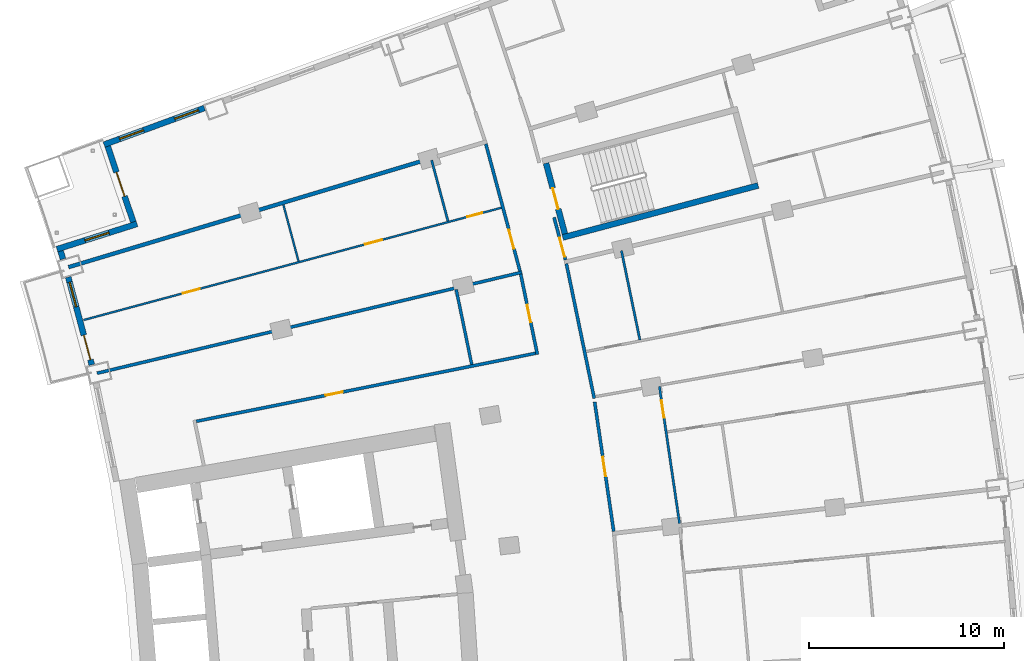
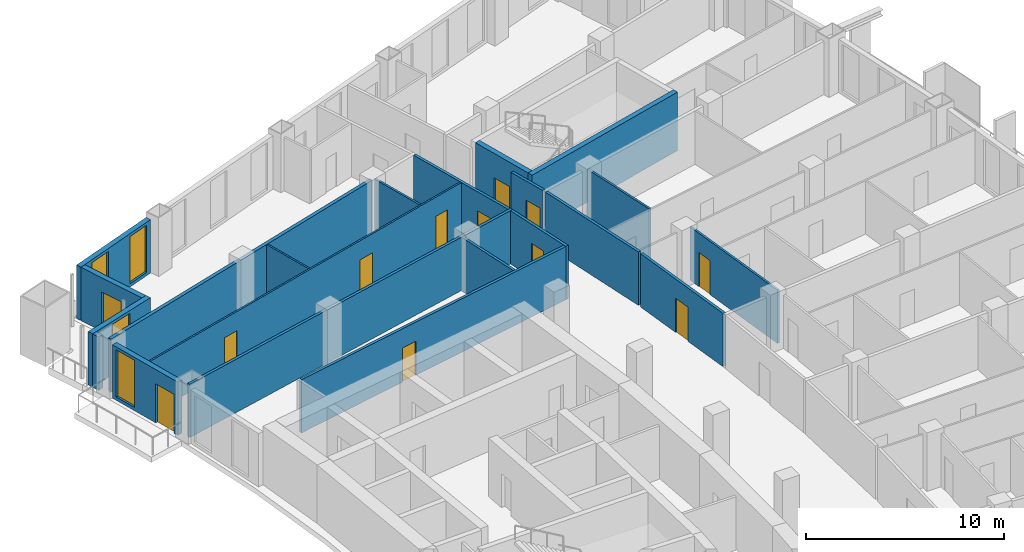
# One storey, part 19 of 25: 21 walls, 12 doors, 4 windows, 16 openings.
"""IFC4 building model written with IfcOpenShell, lengths in metres."""

from ifc_helpers import new_model, si_unit, direction, frame, frame_2d, origin, place, context, subcontext, project, spatial, rectangle, extrude, material, layer, layer_set, type_object, element, fill, save


model = new_model("IFC4")

# Units and contexts
model_context = context("Model", 3, precision=1e-05, world=origin(), true_north=direction((0.0, 1.0)))
body_context = subcontext(model_context, "Body", "Model", "MODEL_VIEW")
ifc_project = project(units=[si_unit("LENGTHUNIT", "METRE"), si_unit("AREAUNIT", "SQUARE_METRE"), si_unit("VOLUMEUNIT", "CUBIC_METRE"), si_unit("PLANEANGLEUNIT", "RADIAN"), si_unit("MASSUNIT", "GRAM", prefix="KILO")], contexts=[model_context])

# Site, building, storey
site_placement = place(None, origin())
site = spatial("IfcSite", under=ifc_project, at=site_placement, CompositionType="ELEMENT")
building_placement = place(site_placement, origin())
building = spatial("IfcBuilding", under=site, at=building_placement, Name="Alderwake Tower", CompositionType="ELEMENT")
storey_placement = place(building_placement, frame((0.0, 0.0, 107.60009765625)))
storey = spatial("IfcBuildingStorey", under=building, at=storey_placement, Name="L26", CompositionType="ELEMENT", Elevation=107.60009765625)

# Wall
ifc_material_1 = material(Name="Concrete C70/85", Category="concrete")
ifc_layer_1 = layer(ifc_material_1, 0.300048828125)
ifc_layer_set_1 = layer_set([ifc_layer_1], Name="Core wall stair enclosure 300 C70-85")
wall_type_1 = type_object("IfcWallType", Name="Core wall stair enclosure 300 C70-85", PredefinedType="SHEAR", material=ifc_layer_set_1)
wall_1_placement = place(storey_placement, frame((37.75390625, 90.268798828125, 0.0), z_axis=(0.0, 0.0, 1.0), x_axis=(0.966309214305, 0.257383958996, 0.0)))
element("IfcWall", 1, at=wall_1_placement, inside=storey, type_object=wall_type_1, Name="Core wall CW.084", PredefinedType="SHEAR", context=body_context, shape_type="SweptSolid", body=[
    extrude(rectangle(XDim=10.360107421875, YDim=0.300048828125, at=frame_2d((5.18017578125, 0.0))), origin(), (0.0, 0.0, 1.0), 3.599853515625),
])

# Wall, opening, door
wall_2_placement = place(storey_placement, frame((37.8603515625, 90.452392578125, 0.0), z_axis=(0.0, 0.0, 1.0), x_axis=(-0.257411420208, 0.966301899381, 0.0)))
wall_2 = element("IfcWall", 2, at=wall_2_placement, inside=storey, type_object=wall_type_1, Name="Core wall CW.083", PredefinedType="SHEAR", context=body_context, shape_type="SweptSolid", body=[
    extrude(rectangle(XDim=3.750244140625, YDim=0.300048828125, at=frame_2d((1.875, 0.0))), origin(), (0.0, 0.0, 1.0), 3.599853515625),
])
opening_1_placement = place(wall_2_placement, frame((1.324951171875, 0.0, 0.0)))
opening_1 = element("IfcOpeningElement", 3, at=opening_1_placement, cuts=wall_2, Name="Opening C062", PredefinedType="OPENING", context=body_context, shape_type="SweptSolid", body=[
    extrude(rectangle(XDim=1.10009765625, YDim=2.10009765625, at=frame_2d((0.550048828125, 1.050048828125))), frame((0.0, 0.159912109375, 0.0), z_axis=(0.0, -1.0, 0.0), x_axis=(1.0, 0.0, 0.0)), (0.0, 0.0, 1.0), 0.320068359375),
])
ifc_material_2 = material(Name="Steel-framed fire door leaf", Category="steel")
door_type_1 = type_object("IfcDoorType", Name="Core stair door 1100 fire-rated", OperationType="SINGLE_SWING_LEFT", PredefinedType="DOOR", material=ifc_material_2)
door_1_placement = place(opening_1_placement, origin())
door_1 = element("IfcDoor", 4, at=door_1_placement, inside=storey, type_object=door_type_1, Name="Stair door", OperationType="SINGLE_SWING_RIGHT", OverallHeight=2.10009765625, OverallWidth=1.10009765625, PredefinedType="DOOR", context=body_context, shape_type="SweptSolid", body=[
    extrude(rectangle(XDim=1.10009765625, YDim=2.10009765625, at=frame_2d((0.550048828125, 1.050048828125))), frame((0.0, 0.02490234375, 0.0), z_axis=(0.0, -1.0, 0.0), x_axis=(1.0, 0.0, 0.0)), (0.0, 0.0, 1.0), 0.050048828125),
])
fill(opening_1, door_1)

# Wall
ifc_material_3 = material(Name="Gypsum board on metal studs, rated")
ifc_layer_2 = layer(ifc_material_3, 0.159912109375)
ifc_layer_set_2 = layer_set([ifc_layer_2], Name="Corridor wall 160")
wall_type_2 = type_object("IfcWallType", Name="Corridor wall 160", PredefinedType="PARTITIONING", material=ifc_layer_set_2)
wall_3_placement = place(storey_placement, frame((13.884033203125, 83.31298828125, 0.0), z_axis=(0.0, 0.0, 1.0), x_axis=(0.972893462073, 0.231253781493, 0.0)))
element("IfcWall", 5, at=wall_3_placement, inside=storey, type_object=wall_type_2, Name="WL/L26/W17", PredefinedType="PARTITIONING", context=body_context, shape_type="SweptSolid", body=[
    extrude(rectangle(XDim=22.38037109375, YDim=0.159912109375, at=frame_2d((11.190185546875, 0.0))), origin(), (0.0, 0.0, 1.0), 3.27978515625),
])

# Wall, opening, door
wall_4_placement = place(storey_placement, frame((35.55908203125, 88.54736328125, 0.0), z_axis=(0.0, 0.0, 1.0), x_axis=(-0.259373900693, 0.965776982351, 0.0)))
wall_4 = element("IfcWall", 6, at=wall_4_placement, inside=storey, type_object=wall_type_2, Name="WL/L26/W24", PredefinedType="PARTITIONING", context=body_context, shape_type="SweptSolid", body=[
    extrude(rectangle(XDim=6.7470703125, YDim=0.159912109375, at=frame_2d((3.37353515625, 0.0))), origin(), (0.0, 0.0, 1.0), 3.27978515625),
])
opening_2_placement = place(wall_4_placement, frame((1.191650390625, 0.0, 0.0)))
opening_2 = element("IfcOpeningElement", 7, at=opening_2_placement, cuts=wall_4, Name="Opening R07-U12.2", PredefinedType="OPENING", context=body_context, shape_type="SweptSolid", body=[
    extrude(rectangle(XDim=1.0, YDim=2.10009765625, at=frame_2d((0.5, 1.050048828125))), frame((0.0, 0.08984375, 0.0), z_axis=(0.0, -1.0, 0.0), x_axis=(1.0, 0.0, 0.0)), (0.0, 0.0, 1.0), 0.179931640625),
])
ifc_material_4 = material(Name="Solid timber leaf in steel frame", Category="steel")
door_type_2 = type_object("IfcDoorType", Name="Flat entrance door 1000 fire-rated", OperationType="SINGLE_SWING_LEFT", PredefinedType="DOOR", material=ifc_material_4)
door_2_placement = place(opening_2_placement, origin())
door_2 = element("IfcDoor", 8, at=door_2_placement, inside=storey, type_object=door_type_2, Name="DR/L26/U12.2", OperationType="SINGLE_SWING_LEFT", OverallHeight=2.10009765625, OverallWidth=1.0, PredefinedType="DOOR", context=body_context, shape_type="SweptSolid", body=[
    extrude(rectangle(XDim=1.0, YDim=2.10009765625, at=frame_2d((0.5, 1.050048828125))), frame((0.0, 0.02490234375, 0.0), z_axis=(0.0, -1.0, 0.0), x_axis=(1.0, 0.0, 0.0)), (0.0, 0.0, 1.0), 0.050048828125),
])
fill(opening_2, door_2)

wall_5_placement = place(storey_placement, frame((36.451416015625, 84.272705078125, 0.0), z_axis=(0.0, 0.0, 1.0), x_axis=(-0.20329833965, 0.979116839348, 0.0)))
wall_5 = element("IfcWall", 9, at=wall_5_placement, inside=storey, type_object=wall_type_2, Name="WL/L26/W26", PredefinedType="PARTITIONING", context=body_context, shape_type="SweptSolid", body=[
    extrude(rectangle(XDim=4.206787109375, YDim=0.159912109375, at=frame_2d((2.103515625, 0.0))), origin(), (0.0, 0.0, 1.0), 3.27978515625),
])
opening_3_placement = place(wall_5_placement, frame((1.69287109375, 0.0, 0.0)))
opening_3 = element("IfcOpeningElement", 10, at=opening_3_placement, cuts=wall_5, Name="Opening R07-SBN2", PredefinedType="OPENING", context=body_context, shape_type="SweptSolid", body=[
    extrude(rectangle(XDim=0.89990234375, YDim=2.10009765625, at=frame_2d((0.449951171875, 1.050048828125))), frame((0.0, 0.08984375, 0.0), z_axis=(0.0, -1.0, 0.0), x_axis=(1.0, 0.0, 0.0)), (0.0, 0.0, 1.0), 0.179931640625),
])
ifc_material_5 = material(Name="Painted timber leaf", Category="wood")
door_type_3 = type_object("IfcDoorType", Name="Room door 900", OperationType="SINGLE_SWING_LEFT", PredefinedType="DOOR", material=ifc_material_5)
door_3_placement = place(opening_3_placement, origin())
door_3 = element("IfcDoor", 11, at=door_3_placement, inside=storey, type_object=door_type_3, Name="DR/L26/SBN2", OperationType="SINGLE_SWING_LEFT", OverallHeight=2.10009765625, OverallWidth=0.89990234375, PredefinedType="DOOR", context=body_context, shape_type="SweptSolid", body=[
    extrude(rectangle(XDim=0.89990234375, YDim=2.10009765625, at=frame_2d((0.449951171875, 1.050048828125))), frame((0.0, 0.02490234375, 0.0), z_axis=(0.0, -1.0, 0.0), x_axis=(1.0, 0.0, 0.0)), (0.0, 0.0, 1.0), 0.050048828125),
])
fill(opening_3, door_3)

wall_6_placement = place(storey_placement, frame((18.969482421875, 80.84765625, 0.0), z_axis=(0.0, 0.0, 1.0), x_axis=(0.980470914622, 0.196664144112, 0.0)))
wall_6 = element("IfcWall", 12, at=wall_6_placement, inside=storey, type_object=wall_type_2, Name="WL/L26/W30", PredefinedType="PARTITIONING", context=body_context, shape_type="SweptSolid", body=[
    extrude(rectangle(XDim=17.733642578125, YDim=0.159912109375, at=frame_2d((8.86669921875, 0.0))), origin(), (0.0, 0.0, 1.0), 3.27978515625),
])
opening_4_placement = place(wall_6_placement, frame((6.756591796875, 0.0, 0.0)))
opening_4 = element("IfcOpeningElement", 13, at=opening_4_placement, cuts=wall_6, Name="Opening R07-SBN1", PredefinedType="OPENING", context=body_context, shape_type="SweptSolid", body=[
    extrude(rectangle(XDim=0.89990234375, YDim=2.10009765625, at=frame_2d((0.449951171875, 1.050048828125))), frame((0.0, 0.08984375, 0.0), z_axis=(0.0, -1.0, 0.0), x_axis=(1.0, 0.0, 0.0)), (0.0, 0.0, 1.0), 0.179931640625),
])
door_4_placement = place(opening_4_placement, origin())
door_4 = element("IfcDoor", 14, at=door_4_placement, inside=storey, type_object=door_type_3, Name="DR/L26/SBN1", OperationType="SINGLE_SWING_LEFT", OverallHeight=2.10009765625, OverallWidth=0.89990234375, PredefinedType="DOOR", context=body_context, shape_type="SweptSolid", body=[
    extrude(rectangle(XDim=0.89990234375, YDim=2.10009765625, at=frame_2d((0.449951171875, 1.050048828125))), frame((0.0, 0.02490234375, 0.0), z_axis=(0.0, -1.0, 0.0), x_axis=(1.0, 0.0, 0.0)), (0.0, 0.0, 1.0), 0.050048828125),
])
fill(opening_4, door_4)

wall_7_placement = place(storey_placement, frame((37.304931640625, 91.299072265625, 0.0), z_axis=(0.0, 0.0, 1.0), x_axis=(0.259946294884, -0.965623075416, 0.0)))
wall_7 = element("IfcWall", 15, at=wall_7_placement, inside=storey, type_object=wall_type_2, Name="WL/L26/W34", PredefinedType="PARTITIONING", context=body_context, shape_type="SweptSolid", body=[
    extrude(rectangle(XDim=2.255126953125, YDim=0.159912109375, at=frame_2d((1.12744140625, 0.0))), origin(), (0.0, 0.0, 1.0), 3.27978515625),
])
opening_5_placement = place(wall_7_placement, frame((1.083984375, 0.0, 0.0)))
opening_5 = element("IfcOpeningElement", 16, at=opening_5_placement, cuts=wall_7, Name="Opening R07-U02.1", PredefinedType="OPENING", context=body_context, shape_type="SweptSolid", body=[
    extrude(rectangle(XDim=1.0, YDim=2.10009765625, at=frame_2d((0.5, 1.050048828125))), frame((0.0, 0.08984375, 0.0), z_axis=(0.0, -1.0, 0.0), x_axis=(1.0, 0.0, 0.0)), (0.0, 0.0, 1.0), 0.179931640625),
])
door_5_placement = place(opening_5_placement, origin())
door_5 = element("IfcDoor", 17, at=door_5_placement, inside=storey, type_object=door_type_2, Name="DR/L26/U02.1", OperationType="SINGLE_SWING_LEFT", OverallHeight=2.10009765625, OverallWidth=1.0, PredefinedType="DOOR", context=body_context, shape_type="SweptSolid", body=[
    extrude(rectangle(XDim=1.0, YDim=2.10009765625, at=frame_2d((0.5, 1.050048828125))), frame((0.0, 0.02490234375, 0.0), z_axis=(0.0, -1.0, 0.0), x_axis=(1.0, 0.0, 0.0)), (0.0, 0.0, 1.0), 0.050048828125),
])
fill(opening_5, door_5)

# Wall
wall_8_placement = place(storey_placement, frame((39.3642578125, 82.022705078125, 0.0), z_axis=(0.0, 0.0, 1.0), x_axis=(-0.20240521091, 0.979301858773, 0.0)))
element("IfcWall", 18, at=wall_8_placement, inside=storey, type_object=wall_type_2, Name="WL/L26/W36", PredefinedType="PARTITIONING", context=body_context, shape_type="SweptSolid", body=[
    extrude(rectangle(XDim=7.05029296875, YDim=0.159912109375, at=frame_2d((3.525146484375, 0.0))), origin(), (0.0, 0.0, 1.0), 3.27978515625),
])

# Wall, opening, door
wall_9_placement = place(storey_placement, frame((39.38671875, 81.837158203125, 0.0), z_axis=(0.0, 0.0, 1.0), x_axis=(0.145576845789, -0.989346947218, 0.0)))
wall_9 = element("IfcWall", 19, at=wall_9_placement, inside=storey, type_object=wall_type_2, Name="WL/L26/W39", PredefinedType="PARTITIONING", context=body_context, shape_type="SweptSolid", body=[
    extrude(rectangle(XDim=6.701416015625, YDim=0.159912109375, at=frame_2d((3.3505859375, 0.0))), origin(), (0.0, 0.0, 1.0), 3.27978515625),
])
opening_6_placement = place(wall_9_placement, frame((2.850830078125, 0.0, 0.0)))
opening_6 = element("IfcOpeningElement", 20, at=opening_6_placement, cuts=wall_9, Name="Opening R07-U09.2", PredefinedType="OPENING", context=body_context, shape_type="SweptSolid", body=[
    extrude(rectangle(XDim=1.0, YDim=2.10009765625, at=frame_2d((0.5, 1.050048828125))), frame((0.0, 0.08984375, 0.0), z_axis=(0.0, -1.0, 0.0), x_axis=(1.0, 0.0, 0.0)), (0.0, 0.0, 1.0), 0.179931640625),
])
door_6_placement = place(opening_6_placement, origin())
door_6 = element("IfcDoor", 21, at=door_6_placement, inside=storey, type_object=door_type_2, Name="DR/L26/U09.2", OperationType="SINGLE_SWING_LEFT", OverallHeight=2.10009765625, OverallWidth=1.0, PredefinedType="DOOR", context=body_context, shape_type="SweptSolid", body=[
    extrude(rectangle(XDim=1.0, YDim=2.10009765625, at=frame_2d((0.5, 1.050048828125))), frame((0.0, 0.02490234375, 0.0), z_axis=(0.0, -1.0, 0.0), x_axis=(1.0, 0.0, 0.0)), (0.0, 0.0, 1.0), 0.050048828125),
])
fill(opening_6, door_6)

# Wall
ifc_material_6 = material(Name="Precast concrete C50/60 spandrel panel", Category="concrete")
ifc_layer_3 = layer(ifc_material_6, 0.300048828125)
ifc_layer_set_3 = layer_set([ifc_layer_3], Name="External wall EW1 Precast concrete C50/60 spandrel")
wall_type_3 = type_object("IfcWallType", Name="External wall EW1 Precast concrete C50/60 spandrel", PredefinedType="SOLIDWALL", material=ifc_layer_set_3)
wall_10_placement = place(storey_placement, frame((12.01416015625, 89.5703125, 0.0), z_axis=(0.0, 0.0, 1.0), x_axis=(0.294567190983, -0.955630770746, 0.0)))
element("IfcWall", 22, at=wall_10_placement, inside=storey, type_object=wall_type_3, Name="External wall 32", PredefinedType="SOLIDWALL", context=body_context, shape_type="SweptSolid", body=[
    extrude(rectangle(XDim=0.427734375, YDim=0.300048828125, at=frame_2d((0.2138671875, 0.0))), origin(), (0.0, 0.0, 1.0), 3.27978515625),
])

# Wall, openings, door, window
wall_11_placement = place(storey_placement, frame((12.406494140625, 88.237548828125, 0.0), z_axis=(0.0, 0.0, 1.0), x_axis=(0.259468933642, -0.965751454814, 0.0)))
wall_11 = element("IfcWall", 23, at=wall_11_placement, inside=storey, type_object=wall_type_3, Name="External wall 33", PredefinedType="SOLIDWALL", context=body_context, shape_type="SweptSolid", body=[
    extrude(rectangle(XDim=4.65087890625, YDim=0.300048828125, at=frame_2d((2.325439453125, 0.0))), origin(), (0.0, 0.0, 1.0), 3.27978515625),
])
opening_7_placement = place(wall_11_placement, frame((0.26708984375, 0.0, 0.199951171875)))
opening_7 = element("IfcOpeningElement", 24, at=opening_7_placement, cuts=wall_11, Name="Opening W1", PredefinedType="OPENING", context=body_context, shape_type="SweptSolid", body=[
    extrude(rectangle(XDim=1.300048828125, YDim=2.89990234375, at=frame_2d((0.64990234375, 1.449951171875))), frame((0.0, 0.159912109375, 0.0), z_axis=(0.0, -1.0, 0.0), x_axis=(1.0, 0.0, 0.0)), (0.0, 0.0, 1.0), 0.320068359375),
])
opening_8_placement = place(wall_11_placement, frame((3.083984375, 0.0, 0.0)))
opening_8 = element("IfcOpeningElement", 25, at=opening_8_placement, cuts=wall_11, Name="Opening D14", PredefinedType="OPENING", context=body_context, shape_type="SweptSolid", body=[
    extrude(rectangle(XDim=1.300048828125, YDim=2.39990234375, at=frame_2d((0.64990234375, 1.199951171875))), frame((0.0, 0.159912109375, 0.0), z_axis=(0.0, -1.0, 0.0), x_axis=(1.0, 0.0, 0.0)), (0.0, 0.0, 1.0), 0.320068359375),
])
ifc_material_7 = material(Name="Bronze tinted glass in aluminium frame", Category="aluminium")
door_type_4 = type_object("IfcDoorType", Name="Balcony door BD sliding", OperationType="SLIDING_TO_LEFT", PredefinedType="DOOR", material=ifc_material_7)
door_7_placement = place(opening_8_placement, origin())
door_7 = element("IfcDoor", 26, at=door_7_placement, inside=storey, type_object=door_type_4, Name="Door D14", OperationType="SLIDING_TO_LEFT", OverallHeight=2.39990234375, OverallWidth=1.300048828125, PredefinedType="DOOR", context=body_context, shape_type="SweptSolid", body=[
    extrude(rectangle(XDim=1.300048828125, YDim=2.39990234375, at=frame_2d((0.64990234375, 1.199951171875))), frame((0.0, 0.02490234375, 0.0), z_axis=(0.0, -1.0, 0.0), x_axis=(1.0, 0.0, 0.0)), (0.0, 0.0, 1.0), 0.050048828125),
])
fill(opening_8, door_7)
ifc_material_8 = material(Name="Bronze tinted glass in aluminium frame", Category="aluminium")
window_type = type_object("IfcWindowType", Name="Window W1 tall fixed and vent", PartitioningType="DOUBLE_PANEL_VERTICAL", PredefinedType="WINDOW", material=ifc_material_8)
window_1_placement = place(opening_7_placement, origin())
window_1 = element("IfcWindow", 27, at=window_1_placement, inside=storey, type_object=window_type, Name="Window W1 tall fixed and vent", OverallHeight=2.89990234375, OverallWidth=1.300048828125, PartitioningType="DOUBLE_PANEL_VERTICAL", PredefinedType="WINDOW", context=body_context, shape_type="SweptSolid", body=[
    extrude(rectangle(XDim=1.300048828125, YDim=2.89990234375, at=frame_2d((0.64990234375, 1.449951171875))), frame((0.0, 0.030029296875, 0.0), z_axis=(0.0, -1.0, 0.0), x_axis=(1.0, 0.0, 0.0)), (0.0, 0.0, 1.0), 0.06005859375),
])
fill(opening_7, window_1)

# Wall, openings, windows
ifc_material_9 = material(Name="Bronze metal cladding on lightweight framing")
ifc_layer_4 = layer(ifc_material_9, 0.300048828125)
ifc_layer_set_4 = layer_set([ifc_layer_4], Name="External wall EW2 bronze metal cladding")
wall_type_4 = type_object("IfcWallType", Name="External wall EW2 bronze metal cladding", PredefinedType="SOLIDWALL", material=ifc_layer_set_4)
wall_12_placement = place(storey_placement, frame((19.38427734375, 96.905517578125, 0.0), z_axis=(0.0, 0.0, 1.0), x_axis=(-0.939366897407, -0.342913738506, 0.0)))
wall_12 = element("IfcWall", 28, at=wall_12_placement, inside=storey, type_object=wall_type_4, Name="External wall 29", PredefinedType="SOLIDWALL", context=body_context, shape_type="SweptSolid", body=[
    extrude(rectangle(XDim=5.474365234375, YDim=0.300048828125, at=frame_2d((2.7373046875, 0.0))), origin(), (0.0, 0.0, 1.0), 3.27978515625),
])
opening_9_placement = place(wall_12_placement, frame((0.322998046875, 0.0, 0.199951171875)))
opening_9 = element("IfcOpeningElement", 29, at=opening_9_placement, cuts=wall_12, Name="Opening W1", PredefinedType="OPENING", context=body_context, shape_type="SweptSolid", body=[
    extrude(rectangle(XDim=1.300048828125, YDim=2.89990234375, at=frame_2d((0.64990234375, 1.449951171875))), frame((0.0, 0.159912109375, 0.0), z_axis=(0.0, -1.0, 0.0), x_axis=(1.0, 0.0, 0.0)), (0.0, 0.0, 1.0), 0.320068359375),
])
opening_10_placement = place(wall_12_placement, frame((3.32373046875, 0.0, 0.199951171875)))
opening_10 = element("IfcOpeningElement", 30, at=opening_10_placement, cuts=wall_12, Name="Opening W1", PredefinedType="OPENING", context=body_context, shape_type="SweptSolid", body=[
    extrude(rectangle(XDim=1.300048828125, YDim=2.89990234375, at=frame_2d((0.64990234375, 1.449951171875))), frame((0.0, 0.159912109375, 0.0), z_axis=(0.0, -1.0, 0.0), x_axis=(1.0, 0.0, 0.0)), (0.0, 0.0, 1.0), 0.320068359375),
])
window_2_placement = place(opening_9_placement, origin())
window_2 = element("IfcWindow", 31, at=window_2_placement, inside=storey, type_object=window_type, Name="Window W1 tall fixed and vent", OverallHeight=2.89990234375, OverallWidth=1.300048828125, PartitioningType="DOUBLE_PANEL_VERTICAL", PredefinedType="WINDOW", context=body_context, shape_type="SweptSolid", body=[
    extrude(rectangle(XDim=1.300048828125, YDim=2.89990234375, at=frame_2d((0.64990234375, 1.449951171875))), frame((0.0, 0.030029296875, 0.0), z_axis=(0.0, -1.0, 0.0), x_axis=(1.0, 0.0, 0.0)), (0.0, 0.0, 1.0), 0.06005859375),
])
fill(opening_9, window_2)
window_3_placement = place(opening_10_placement, origin())
window_3 = element("IfcWindow", 32, at=window_3_placement, inside=storey, type_object=window_type, Name="Window W1 tall fixed and vent", OverallHeight=2.89990234375, OverallWidth=1.300048828125, PartitioningType="DOUBLE_PANEL_VERTICAL", PredefinedType="WINDOW", context=body_context, shape_type="SweptSolid", body=[
    extrude(rectangle(XDim=1.300048828125, YDim=2.89990234375, at=frame_2d((0.64990234375, 1.449951171875))), frame((0.0, 0.030029296875, 0.0), z_axis=(0.0, -1.0, 0.0), x_axis=(1.0, 0.0, 0.0)), (0.0, 0.0, 1.0), 0.06005859375),
])
fill(opening_10, window_3)

# Wall, opening, door
wall_13_placement = place(storey_placement, frame((14.430908203125, 94.937744140625, 0.0), z_axis=(0.0, 0.0, 1.0), x_axis=(0.320379458656, -0.947289291859, 0.0)))
wall_13 = element("IfcWall", 33, at=wall_13_placement, inside=storey, type_object=wall_type_4, Name="External wall 30", PredefinedType="SOLIDWALL", context=body_context, shape_type="SweptSolid", body=[
    extrude(rectangle(XDim=4.08984375, YDim=0.300048828125, at=frame_2d((2.044921875, 0.0))), origin(), (0.0, 0.0, 1.0), 3.27978515625),
])
opening_11_placement = place(wall_13_placement, frame((1.39501953125, 0.0, 0.0)))
opening_11 = element("IfcOpeningElement", 34, at=opening_11_placement, cuts=wall_13, Name="Opening D13", PredefinedType="OPENING", context=body_context, shape_type="SweptSolid", body=[
    extrude(rectangle(XDim=1.300048828125, YDim=2.39990234375, at=frame_2d((0.64990234375, 1.199951171875))), frame((0.0, 0.159912109375, 0.0), z_axis=(0.0, -1.0, 0.0), x_axis=(1.0, 0.0, 0.0)), (0.0, 0.0, 1.0), 0.320068359375),
])
door_8_placement = place(opening_11_placement, origin())
door_8 = element("IfcDoor", 35, at=door_8_placement, inside=storey, type_object=door_type_4, Name="Door D13", OperationType="SLIDING_TO_LEFT", OverallHeight=2.39990234375, OverallWidth=1.300048828125, PredefinedType="DOOR", context=body_context, shape_type="SweptSolid", body=[
    extrude(rectangle(XDim=1.300048828125, YDim=2.39990234375, at=frame_2d((0.64990234375, 1.199951171875))), frame((0.0, 0.02490234375, 0.0), z_axis=(0.0, -1.0, 0.0), x_axis=(1.0, 0.0, 0.0)), (0.0, 0.0, 1.0), 0.050048828125),
])
fill(opening_11, door_8)

# Wall, opening, window
wall_14_placement = place(storey_placement, frame((15.932373046875, 90.966552734375, 0.0), z_axis=(0.0, 0.0, 1.0), x_axis=(-0.953473772386, -0.301475978103, 0.0)))
wall_14 = element("IfcWall", 36, at=wall_14_placement, inside=storey, type_object=wall_type_4, Name="External wall 31", PredefinedType="SOLIDWALL", context=body_context, shape_type="SweptSolid", body=[
    extrude(rectangle(XDim=4.305908203125, YDim=0.300048828125, at=frame_2d((2.15283203125, 0.0))), origin(), (0.0, 0.0, 1.0), 3.27978515625),
])
opening_12_placement = place(wall_14_placement, frame((1.5029296875, 0.0, 0.199951171875)))
opening_12 = element("IfcOpeningElement", 37, at=opening_12_placement, cuts=wall_14, Name="Opening W1", PredefinedType="OPENING", context=body_context, shape_type="SweptSolid", body=[
    extrude(rectangle(XDim=1.300048828125, YDim=2.89990234375, at=frame_2d((0.64990234375, 1.449951171875))), frame((0.0, 0.159912109375, 0.0), z_axis=(0.0, -1.0, 0.0), x_axis=(1.0, 0.0, 0.0)), (0.0, 0.0, 1.0), 0.320068359375),
])
window_4_placement = place(opening_12_placement, origin())
window_4 = element("IfcWindow", 38, at=window_4_placement, inside=storey, type_object=window_type, Name="Window W1 tall fixed and vent", OverallHeight=2.89990234375, OverallWidth=1.300048828125, PartitioningType="DOUBLE_PANEL_VERTICAL", PredefinedType="WINDOW", context=body_context, shape_type="SweptSolid", body=[
    extrude(rectangle(XDim=1.300048828125, YDim=2.89990234375, at=frame_2d((0.64990234375, 1.449951171875))), frame((0.0, 0.030029296875, 0.0), z_axis=(0.0, -1.0, 0.0), x_axis=(1.0, 0.0, 0.0)), (0.0, 0.0, 1.0), 0.06005859375),
])
fill(opening_12, window_4)

# Walls
ifc_material_10 = material(Name="Dense block masonry wall", Category="masonry")
ifc_layer_5 = layer(ifc_material_10, 0.199951171875)
ifc_layer_set_5 = layer_set([ifc_layer_5], Name="Party wall 200")
wall_type_5 = type_object("IfcWallType", Name="Party wall 200", PredefinedType="SOLIDWALL", material=ifc_layer_set_5)
wall_15_placement = place(storey_placement, frame((30.812744140625, 94.270751953125, 0.0), z_axis=(0.0, 0.0, 1.0), x_axis=(-0.957756965565, -0.287578849904, 0.0)))
element("IfcWall", 39, at=wall_15_placement, inside=storey, type_object=wall_type_5, Name="WL/L26/W01", PredefinedType="SOLIDWALL", context=body_context, shape_type="SweptSolid", body=[
    extrude(rectangle(XDim=19.20068359375, YDim=0.199951171875, at=frame_2d((9.600341796875, 0.0))), origin(), (0.0, 0.0, 1.0), 3.27978515625),
])
ifc_material_11 = material(Name="Gypsum shaft wall system, rated")
ifc_layer_6 = layer(ifc_material_11, 0.14990234375)
ifc_layer_set_6 = layer_set([ifc_layer_6], Name="Riser and shaft wall 150")
wall_type_6 = type_object("IfcWallType", Name="Riser and shaft wall 150", PredefinedType="PARTITIONING", material=ifc_layer_set_6)
wall_16_placement = place(storey_placement, frame((33.085693359375, 83.76025390625, 0.0), z_axis=(0.0, 0.0, 1.0), x_axis=(-0.2025562632, 0.97927062666, 0.0)))
element("IfcWall", 40, at=wall_16_placement, inside=storey, type_object=wall_type_6, Name="WL/L26/W13", PredefinedType="PARTITIONING", context=body_context, shape_type="SweptSolid", body=[
    extrude(rectangle(XDim=3.9267578125, YDim=0.14990234375, at=frame_2d((1.96337890625, 0.0))), origin(), (0.0, 0.0, 1.0), 3.27978515625),
])

# Wall, openings, doors
ifc_material_12 = material(Name="Gypsum board on metal studs")
ifc_layer_7 = layer(ifc_material_12, 0.10009765625)
ifc_layer_set_7 = layer_set([ifc_layer_7], Name="Unit partition 100")
wall_type_7 = type_object("IfcWallType", Name="Unit partition 100", PredefinedType="PARTITIONING", material=ifc_layer_set_7)
wall_17_placement = place(storey_placement, frame((13.194091796875, 86.0400390625, 0.0), z_axis=(0.0, 0.0, 1.0), x_axis=(0.965734733826, 0.259531161679, 0.0)))
wall_17 = element("IfcWall", 41, at=wall_17_placement, inside=storey, type_object=wall_type_7, Name="WL/L26/W68", PredefinedType="PARTITIONING", context=body_context, shape_type="SweptSolid", body=[
    extrude(rectangle(XDim=22.17138671875, YDim=0.10009765625, at=frame_2d((11.085693359375, 0.0))), origin(), (0.0, 0.0, 1.0), 3.27978515625),
])
opening_13_placement = place(wall_17_placement, frame((14.935791015625, 0.0, 0.0)))
opening_13 = element("IfcOpeningElement", 42, at=opening_13_placement, cuts=wall_17, Name="Opening R07-U12.1", PredefinedType="OPENING", context=body_context, shape_type="SweptSolid", body=[
    extrude(rectangle(XDim=0.89990234375, YDim=2.10009765625, at=frame_2d((0.449951171875, 1.050048828125))), frame((0.0, 0.06005859375, 0.0), z_axis=(0.0, -1.0, 0.0), x_axis=(1.0, 0.0, 0.0)), (0.0, 0.0, 1.0), 0.1201171875),
])
opening_14_placement = place(wall_17_placement, frame((20.361328125, 0.0, 0.0)))
opening_14 = element("IfcOpeningElement", 43, at=opening_14_placement, cuts=wall_17, Name="Opening R07-U12.3", PredefinedType="OPENING", context=body_context, shape_type="SweptSolid", body=[
    extrude(rectangle(XDim=0.800048828125, YDim=2.10009765625, at=frame_2d((0.39990234375, 1.050048828125))), frame((0.0, 0.06005859375, 0.0), z_axis=(0.0, -1.0, 0.0), x_axis=(1.0, 0.0, 0.0)), (0.0, 0.0, 1.0), 0.1201171875),
])
opening_15_placement = place(wall_17_placement, frame((5.260498046875, 0.0, 0.0)))
opening_15 = element("IfcOpeningElement", 44, at=opening_15_placement, cuts=wall_17, Name="Opening R07-U12.4", PredefinedType="OPENING", context=body_context, shape_type="SweptSolid", body=[
    extrude(rectangle(XDim=0.89990234375, YDim=2.10009765625, at=frame_2d((0.449951171875, 1.050048828125))), frame((0.0, 0.06005859375, 0.0), z_axis=(0.0, -1.0, 0.0), x_axis=(1.0, 0.0, 0.0)), (0.0, 0.0, 1.0), 0.1201171875),
])
ifc_material_13 = material(Name="Painted timber leaf", Category="wood")
door_type_5 = type_object("IfcDoorType", Name="Bathroom door 800", OperationType="SINGLE_SWING_LEFT", PredefinedType="DOOR", material=ifc_material_13)
door_9_placement = place(opening_14_placement, origin())
door_9 = element("IfcDoor", 45, at=door_9_placement, inside=storey, type_object=door_type_5, Name="DR/L26/U12.3", OperationType="SINGLE_SWING_LEFT", OverallHeight=2.10009765625, OverallWidth=0.800048828125, PredefinedType="DOOR", context=body_context, shape_type="SweptSolid", body=[
    extrude(rectangle(XDim=0.800048828125, YDim=2.10009765625, at=frame_2d((0.39990234375, 1.050048828125))), frame((0.0, 0.02490234375, 0.0), z_axis=(0.0, -1.0, 0.0), x_axis=(1.0, 0.0, 0.0)), (0.0, 0.0, 1.0), 0.050048828125),
])
fill(opening_14, door_9)
door_10_placement = place(opening_13_placement, origin())
door_10 = element("IfcDoor", 46, at=door_10_placement, inside=storey, type_object=door_type_3, Name="DR/L26/U12.1", OperationType="SINGLE_SWING_LEFT", OverallHeight=2.10009765625, OverallWidth=0.89990234375, PredefinedType="DOOR", context=body_context, shape_type="SweptSolid", body=[
    extrude(rectangle(XDim=0.89990234375, YDim=2.10009765625, at=frame_2d((0.449951171875, 1.050048828125))), frame((0.0, 0.02490234375, 0.0), z_axis=(0.0, -1.0, 0.0), x_axis=(1.0, 0.0, 0.0)), (0.0, 0.0, 1.0), 0.050048828125),
])
fill(opening_13, door_10)
door_11_placement = place(opening_15_placement, origin())
door_11 = element("IfcDoor", 47, at=door_11_placement, inside=storey, type_object=door_type_3, Name="DR/L26/U12.4", OperationType="SINGLE_SWING_LEFT", OverallHeight=2.10009765625, OverallWidth=0.89990234375, PredefinedType="DOOR", context=body_context, shape_type="SweptSolid", body=[
    extrude(rectangle(XDim=0.89990234375, YDim=2.10009765625, at=frame_2d((0.449951171875, 1.050048828125))), frame((0.0, 0.02490234375, 0.0), z_axis=(0.0, -1.0, 0.0), x_axis=(1.0, 0.0, 0.0)), (0.0, 0.0, 1.0), 0.050048828125),
])
fill(opening_15, door_11)

# Walls
wall_18_placement = place(storey_placement, frame((23.431884765625, 91.949462890625, 0.0), z_axis=(0.0, 0.0, 1.0), x_axis=(0.259065603162, -0.965859727527, 0.0)))
element("IfcWall", 48, at=wall_18_placement, inside=storey, type_object=wall_type_7, Name="WL/L26/W69", PredefinedType="PARTITIONING", context=body_context, shape_type="SweptSolid", body=[
    extrude(rectangle(XDim=2.99951171875, YDim=0.10009765625, at=frame_2d((1.499755859375, 0.0))), origin(), (0.0, 0.0, 1.0), 3.27978515625),
])
ifc_material_14 = material(Name="Moisture resistant gypsum board on metal studs")
ifc_layer_8 = layer(ifc_material_14, 0.1201171875)
ifc_layer_set_8 = layer_set([ifc_layer_8], Name="Wet room partition 120")
wall_type_8 = type_object("IfcWallType", Name="Wet room partition 120", PredefinedType="PARTITIONING", material=ifc_layer_set_8)
wall_19_placement = place(storey_placement, frame((31.031005859375, 94.2294921875, 0.0), z_axis=(0.0, 0.0, 1.0), x_axis=(0.259149206489, -0.96583729933, 0.0)))
element("IfcWall", 49, at=wall_19_placement, inside=storey, type_object=wall_type_8, Name="WL/L26/W47", PredefinedType="PARTITIONING", context=body_context, shape_type="SweptSolid", body=[
    extrude(rectangle(XDim=3.2294921875, YDim=0.1201171875, at=frame_2d((1.61474609375, 0.0))), origin(), (0.0, 0.0, 1.0), 3.27978515625),
])
wall_20_placement = place(storey_placement, frame((41.704833984375, 85.01806640625, 0.0), z_axis=(0.0, 0.0, 1.0), x_axis=(-0.20267985984, 0.979245053301, 0.0)))
element("IfcWall", 50, at=wall_20_placement, inside=storey, type_object=wall_type_8, Name="WL/L26/W55", PredefinedType="PARTITIONING", context=body_context, shape_type="SweptSolid", body=[
    extrude(rectangle(XDim=4.6748046875, YDim=0.1201171875, at=frame_2d((2.33740234375, 0.0))), origin(), (0.0, 0.0, 1.0), 3.27978515625),
])

# Wall, opening, door
wall_21_placement = place(storey_placement, frame((42.703369140625, 82.6455078125, 0.0), z_axis=(0.0, 0.0, 1.0), x_axis=(0.145290574876, -0.989389028063, 0.0)))
wall_21 = element("IfcWall", 51, at=wall_21_placement, inside=storey, type_object=wall_type_8, Name="WL/L26/W56", PredefinedType="PARTITIONING", context=body_context, shape_type="SweptSolid", body=[
    extrude(rectangle(XDim=7.117919921875, YDim=0.1201171875, at=frame_2d((3.55908203125, 0.0))), origin(), (0.0, 0.0, 1.0), 3.27978515625),
])
opening_16_placement = place(wall_21_placement, frame((0.73681640625, 0.0, 0.0)))
opening_16 = element("IfcOpeningElement", 52, at=opening_16_placement, cuts=wall_21, Name="Opening R07-U09.3", PredefinedType="OPENING", context=body_context, shape_type="SweptSolid", body=[
    extrude(rectangle(XDim=0.89990234375, YDim=2.10009765625, at=frame_2d((0.449951171875, 1.050048828125))), frame((0.0, 0.070068359375, 0.0), z_axis=(0.0, -1.0, 0.0), x_axis=(1.0, 0.0, 0.0)), (0.0, 0.0, 1.0), 0.14013671875),
])
door_12_placement = place(opening_16_placement, origin())
door_12 = element("IfcDoor", 53, at=door_12_placement, inside=storey, type_object=door_type_3, Name="DR/L26/U09.3", OperationType="SINGLE_SWING_LEFT", OverallHeight=2.10009765625, OverallWidth=0.89990234375, PredefinedType="DOOR", context=body_context, shape_type="SweptSolid", body=[
    extrude(rectangle(XDim=0.89990234375, YDim=2.10009765625, at=frame_2d((0.449951171875, 1.050048828125))), frame((0.0, 0.02490234375, 0.0), z_axis=(0.0, -1.0, 0.0), x_axis=(1.0, 0.0, 0.0)), (0.0, 0.0, 1.0), 0.050048828125),
])
fill(opening_16, door_12)

save(model, "model.ifc")
